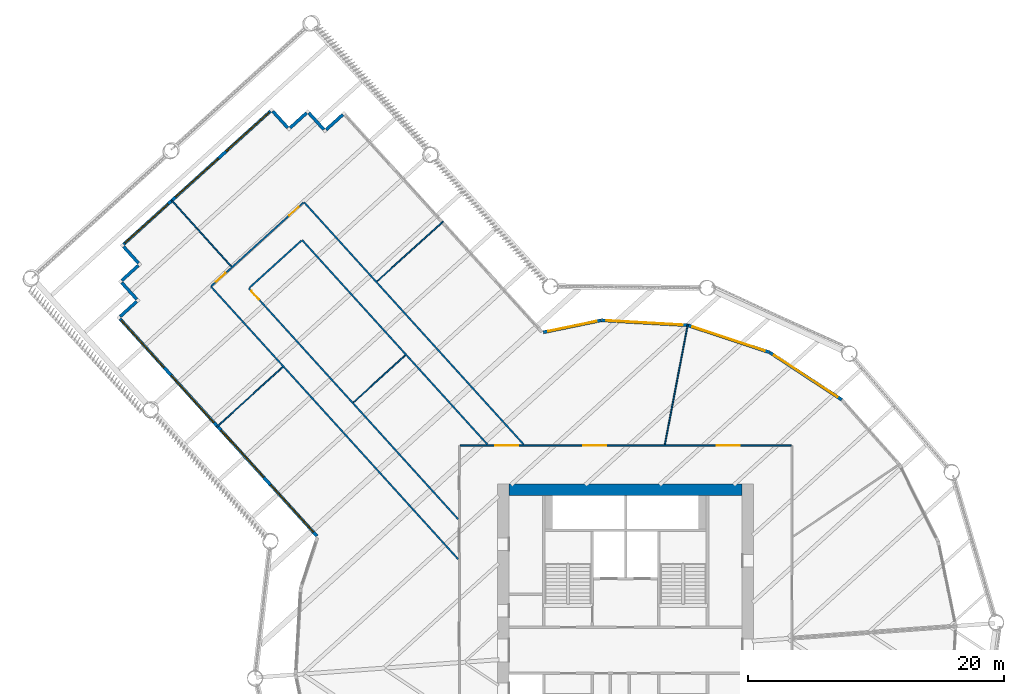
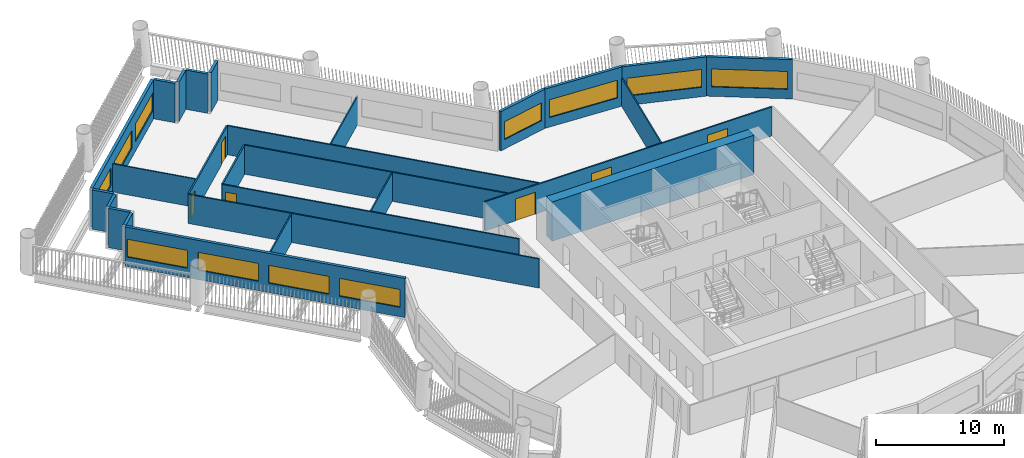
# One storey, part 6 of 15: 27 walls, 11 windows, 6 doors, 17 openings.
"""IFC4 building model written with IfcOpenShell, lengths in metres."""

from ifc_helpers import new_model, si_unit, direction, frame, frame_2d, origin, place, context, subcontext, project, spatial, rectangle, extrude, material, layer, layer_set, type_object, element, fill, save


model = new_model("IFC4")

# Units and contexts
model_context = context("Model", 3, precision=1e-05, world=origin(), true_north=direction((0.0, 1.0)))
body_context = subcontext(model_context, "Body", "Model", "MODEL_VIEW")
ifc_project = project(units=[si_unit("LENGTHUNIT", "METRE"), si_unit("AREAUNIT", "SQUARE_METRE"), si_unit("VOLUMEUNIT", "CUBIC_METRE"), si_unit("PLANEANGLEUNIT", "RADIAN"), si_unit("MASSUNIT", "GRAM", prefix="KILO")], contexts=[model_context])

# Site, building, storey
site_placement = place(None, origin())
site = spatial("IfcSite", under=ifc_project, at=site_placement, CompositionType="ELEMENT")
building_placement = place(site_placement, origin())
building = spatial("IfcBuilding", under=site, at=building_placement, Name="Tarsis Ring Headquarters", CompositionType="ELEMENT")
storey_placement = place(building_placement, frame((0.0, 0.0, 59.5)))
storey = spatial("IfcBuildingStorey", under=building, at=storey_placement, Name="L12", CompositionType="ELEMENT", Elevation=59.5)

# Walls
ifc_material_1 = material(Name="Concrete C60/75", Category="concrete")
ifc_layer_1 = layer(ifc_material_1, 0.89990234375)
ifc_layer_set_1 = layer_set([ifc_layer_1], Name="Core wall 900 C60/75")
wall_type_1 = type_object("IfcWallType", Name="Core wall 900 C60/75", PredefinedType="SHEAR", material=ifc_layer_set_1)
wall_1_placement = place(storey_placement, frame((-9.10009765625, 12.550048828125, 0.0), z_axis=(0.0, 0.0, 1.0), x_axis=(1.0, 0.0, 0.0)))
element("IfcWall", 1, at=wall_1_placement, inside=storey, type_object=wall_type_1, Name="Core wall ON", PredefinedType="SHEAR", context=body_context, shape_type="SweptSolid", body=[
    extrude(rectangle(XDim=18.2001953125, YDim=0.89990234375, at=frame_2d((9.10009765625, 0.0))), origin(), (0.0, 0.0, 1.0), 3.739990234375),
])
ifc_material_2 = material(Name="Gypsum board on steel studs", Category="steel")
ifc_layer_2 = layer(ifc_material_2, 0.10009765625)
ifc_layer_set_2 = layer_set([ifc_layer_2], Name="FL partition 100 unrated")
wall_type_2 = type_object("IfcWallType", Name="FL partition 100 unrated", PredefinedType="PARTITIONING", material=ifc_layer_set_2)
wall_2_placement = place(storey_placement, frame((3.065185546875, 16.06884765625, 0.0), z_axis=(0.0, 0.0, 1.0), x_axis=(0.187383522509, 0.982286829542, 0.0)))
element("IfcWall", 2, at=wall_2_placement, inside=storey, type_object=wall_type_2, Name="Partition PW3", PredefinedType="PARTITIONING", context=body_context, shape_type="SweptSolid", body=[
    extrude(rectangle(XDim=9.58935546875, YDim=0.10009765625, at=frame_2d((4.794677734375, 0.0))), origin(), (0.0, 0.0, 1.0), 2.699951171875),
])
wall_3_placement = place(storey_placement, frame((-35.530517578125, 35.209716796875, 0.0), z_axis=(0.0, 0.0, 1.0), x_axis=(0.671726755684, -0.740799004925, 0.0)))
element("IfcWall", 3, at=wall_3_placement, inside=storey, type_object=wall_type_2, Name="Partition PW3", PredefinedType="PARTITIONING", context=body_context, shape_type="SweptSolid", body=[
    extrude(rectangle(XDim=7.0302734375, YDim=0.10009765625, at=frame_2d((3.51513671875, 0.0))), origin(), (0.0, 0.0, 1.0), 2.699951171875),
])
wall_4_placement = place(storey_placement, frame((-19.431396484375, 28.84375, 0.0), z_axis=(0.0, 0.0, 1.0), x_axis=(0.740800102283, 0.671725545486, 0.0)))
element("IfcWall", 4, at=wall_4_placement, inside=storey, type_object=wall_type_2, Name="Partition PW3", PredefinedType="PARTITIONING", context=body_context, shape_type="SweptSolid", body=[
    extrude(rectangle(XDim=6.969970703125, YDim=0.10009765625, at=frame_2d((3.48486328125, 0.0))), origin(), (0.0, 0.0, 1.0), 2.699951171875),
])
wall_5_placement = place(storey_placement, frame((-31.966552734375, 17.464111328125, 0.0), z_axis=(0.0, 0.0, 1.0), x_axis=(0.740815906683, 0.671708115483, 0.0)))
element("IfcWall", 5, at=wall_5_placement, inside=storey, type_object=wall_type_2, Name="Partition PW3", PredefinedType="PARTITIONING", context=body_context, shape_type="SweptSolid", body=[
    extrude(rectangle(XDim=6.97021484375, YDim=0.10009765625, at=frame_2d((3.485107421875, 0.0))), origin(), (0.0, 0.0, 1.0), 2.699951171875),
])
wall_6_placement = place(storey_placement, frame((-21.274658203125, 19.383544921875, 0.0), z_axis=(0.0, 0.0, 1.0), x_axis=(0.740812349044, 0.671712039123, 0.0)))
element("IfcWall", 6, at=wall_6_placement, inside=storey, type_object=wall_type_2, Name="Partition PW3", PredefinedType="PARTITIONING", context=body_context, shape_type="SweptSolid", body=[
    extrude(rectangle(XDim=5.47998046875, YDim=0.10009765625, at=frame_2d((2.739990234375, 0.0))), origin(), (0.0, 0.0, 1.0), 2.699951171875),
])
ifc_layer_3 = layer(ifc_material_2, 0.125)
ifc_layer_set_3 = layer_set([ifc_layer_3], Name="FL partition 125 EI 60 H2770")
wall_type_3 = type_object("IfcWallType", Name="FL partition 125 EI 60 H2770", PredefinedType="PARTITIONING", material=ifc_layer_set_3)
wall_7_placement = place(storey_placement, frame((-32.420654296875, 28.4453125, 0.0), z_axis=(0.0, 0.0, 1.0), x_axis=(0.67171907971, -0.740805965117, 0.0)))
element("IfcWall", 7, at=wall_7_placement, inside=storey, type_object=wall_type_3, Name="Partition PW1", PredefinedType="PARTITIONING", context=body_context, shape_type="SweptSolid", body=[
    extrude(rectangle(XDim=28.76171875, YDim=0.125, at=frame_2d((14.380859375, 0.0))), origin(), (0.0, 0.0, 1.0), 2.77001953125),
])

# Wall, openings, doors
wall_8_placement = place(storey_placement, frame((-12.93896484375, 16.0, 0.0), z_axis=(0.0, 0.0, 1.0), x_axis=(1.0, 0.0, 0.0)))
wall_8 = element("IfcWall", 8, at=wall_8_placement, inside=storey, type_object=wall_type_3, Name="Partition PW1", PredefinedType="PARTITIONING", context=body_context, shape_type="SweptSolid", body=[
    extrude(rectangle(XDim=25.87890625, YDim=0.125, at=frame_2d((12.939453125, 0.0))), origin(), (0.0, 0.0, 1.0), 2.77001953125),
])
opening_1_placement = place(wall_8_placement, frame((9.625, 0.0, 0.0)))
opening_1 = element("IfcOpeningElement", 9, at=opening_1_placement, cuts=wall_8, Name="Opening D12.03", PredefinedType="OPENING", context=body_context, shape_type="SweptSolid", body=[
    extrude(rectangle(XDim=1.800048828125, YDim=2.10009765625, at=frame_2d((0.89990234375, 1.050048828125))), frame((0.0, 0.072509765625, 0.0), z_axis=(0.0, -1.0, 0.0), x_axis=(1.0, 0.0, 0.0)), (0.0, 0.0, 1.0), 0.14501953125),
])
opening_2_placement = place(wall_8_placement, frame((20.065185546875, 0.0, 0.0)))
opening_2 = element("IfcOpeningElement", 10, at=opening_2_placement, cuts=wall_8, Name="Opening D12.04", PredefinedType="OPENING", context=body_context, shape_type="SweptSolid", body=[
    extrude(rectangle(XDim=1.800048828125, YDim=2.10009765625, at=frame_2d((0.89990234375, 1.050048828125))), frame((0.0, 0.072509765625, 0.0), z_axis=(0.0, -1.0, 0.0), x_axis=(1.0, 0.0, 0.0)), (0.0, 0.0, 1.0), 0.14501953125),
])
opening_3_placement = place(wall_8_placement, frame((2.74169921875, 0.0, 0.0)))
opening_3 = element("IfcOpeningElement", 11, at=opening_3_placement, cuts=wall_8, Name="Opening D12.20", PredefinedType="OPENING", context=body_context, shape_type="SweptSolid", body=[
    extrude(rectangle(XDim=1.800048828125, YDim=2.10009765625, at=frame_2d((0.89990234375, 1.050048828125))), frame((0.0, 0.072509765625, 0.0), z_axis=(0.0, -1.0, 0.0), x_axis=(1.0, 0.0, 0.0)), (0.0, 0.0, 1.0), 0.14501953125),
])
ifc_material_3 = material(Name="Fire-rated timber door leaf in steel frame", Category="steel")
door_type_1 = type_object("IfcDoorType", Name="FL door FD60-1800", OperationType="DOUBLE_DOOR_SINGLE_SWING", PredefinedType="DOOR", material=ifc_material_3)
door_1_placement = place(opening_1_placement, origin())
door_1 = element("IfcDoor", 12, at=door_1_placement, inside=storey, type_object=door_type_1, Name="Door D12.03", OperationType="DOUBLE_DOOR_SINGLE_SWING", OverallHeight=2.10009765625, OverallWidth=1.800048828125, PredefinedType="DOOR", context=body_context, shape_type="SweptSolid", body=[
    extrude(rectangle(XDim=1.800048828125, YDim=2.10009765625, at=frame_2d((0.89990234375, 1.050048828125))), frame((0.0, 0.02490234375, 0.0), z_axis=(0.0, -1.0, 0.0), x_axis=(1.0, 0.0, 0.0)), (0.0, 0.0, 1.0), 0.050048828125),
])
fill(opening_1, door_1)
door_2_placement = place(opening_2_placement, origin())
door_2 = element("IfcDoor", 13, at=door_2_placement, inside=storey, type_object=door_type_1, Name="Door D12.04", OperationType="DOUBLE_DOOR_SINGLE_SWING", OverallHeight=2.10009765625, OverallWidth=1.800048828125, PredefinedType="DOOR", context=body_context, shape_type="SweptSolid", body=[
    extrude(rectangle(XDim=1.800048828125, YDim=2.10009765625, at=frame_2d((0.89990234375, 1.050048828125))), frame((0.0, 0.02490234375, 0.0), z_axis=(0.0, -1.0, 0.0), x_axis=(1.0, 0.0, 0.0)), (0.0, 0.0, 1.0), 0.050048828125),
])
fill(opening_2, door_2)
door_3_placement = place(opening_3_placement, origin())
door_3 = element("IfcDoor", 14, at=door_3_placement, inside=storey, type_object=door_type_1, Name="Door D12.20", OperationType="DOUBLE_DOOR_SINGLE_SWING", OverallHeight=2.10009765625, OverallWidth=1.800048828125, PredefinedType="DOOR", context=body_context, shape_type="SweptSolid", body=[
    extrude(rectangle(XDim=1.800048828125, YDim=2.10009765625, at=frame_2d((0.89990234375, 1.050048828125))), frame((0.0, 0.02490234375, 0.0), z_axis=(0.0, -1.0, 0.0), x_axis=(1.0, 0.0, 0.0)), (0.0, 0.0, 1.0), 0.050048828125),
])
fill(opening_3, door_3)

# Wall
wall_9_placement = place(storey_placement, frame((-25.14599609375, 35.04150390625, 0.0), z_axis=(0.0, 0.0, 1.0), x_axis=(0.671723820396, -0.740801666516, 0.0)))
element("IfcWall", 15, at=wall_9_placement, inside=storey, type_object=wall_type_3, Name="Partition PW1", PredefinedType="PARTITIONING", context=body_context, shape_type="SweptSolid", body=[
    extrude(rectangle(XDim=25.573974609375, YDim=0.125, at=frame_2d((12.787109375, 0.0))), origin(), (0.0, 0.0, 1.0), 2.77001953125),
])

# Wall, opening, door
wall_10_placement = place(storey_placement, frame((-29.454345703125, 28.30029296875, 0.0), z_axis=(0.0, 0.0, 1.0), x_axis=(0.671720886348, -0.740804326961, 0.0)))
wall_10 = element("IfcWall", 16, at=wall_10_placement, inside=storey, type_object=wall_type_3, Name="Partition PW1", PredefinedType="PARTITIONING", context=body_context, shape_type="SweptSolid", body=[
    extrude(rectangle(XDim=24.345703125, YDim=0.125, at=frame_2d((12.1728515625, 0.0))), origin(), (0.0, 0.0, 1.0), 2.77001953125),
])
opening_4_placement = place(wall_10_placement, frame((0.284912109375, 0.0, 0.0)))
opening_4 = element("IfcOpeningElement", 17, at=opening_4_placement, cuts=wall_10, Name="Opening D12.14", PredefinedType="OPENING", context=body_context, shape_type="SweptSolid", body=[
    extrude(rectangle(XDim=0.89990234375, YDim=2.10009765625, at=frame_2d((0.449951171875, 1.050048828125))), frame((0.0, 0.072509765625, 0.0), z_axis=(0.0, -1.0, 0.0), x_axis=(1.0, 0.0, 0.0)), (0.0, 0.0, 1.0), 0.14501953125),
])
door_type_2 = type_object("IfcDoorType", Name="FL door FD60-900", OperationType="NOTDEFINED", PredefinedType="DOOR", material=ifc_material_3)
door_4_placement = place(opening_4_placement, origin())
door_4 = element("IfcDoor", 18, at=door_4_placement, inside=storey, type_object=door_type_2, Name="Door D12.14", OperationType="SINGLE_SWING_RIGHT", OverallHeight=2.10009765625, OverallWidth=0.89990234375, PredefinedType="DOOR", context=body_context, shape_type="SweptSolid", body=[
    extrude(rectangle(XDim=0.89990234375, YDim=2.10009765625, at=frame_2d((0.449951171875, 1.050048828125))), frame((0.0, 0.02490234375, 0.0), z_axis=(0.0, -1.0, 0.0), x_axis=(1.0, 0.0, 0.0)), (0.0, 0.0, 1.0), 0.050048828125),
])
fill(opening_4, door_4)

# Wall
wall_11_placement = place(storey_placement, frame((-25.291015625, 32.0751953125, 0.0), z_axis=(0.0, 0.0, 1.0), x_axis=(0.671724092549, -0.74080141974, 0.0)))
element("IfcWall", 19, at=wall_11_placement, inside=storey, type_object=wall_type_3, Name="Partition PW1", PredefinedType="PARTITIONING", context=body_context, shape_type="SweptSolid", body=[
    extrude(rectangle(XDim=21.56982421875, YDim=0.125, at=frame_2d((10.784912109375, 0.0))), origin(), (0.0, 0.0, 1.0), 2.77001953125),
])

# Wall, openings, doors
wall_12_placement = place(storey_placement, frame((-32.376220703125, 28.485595703125, 0.0), z_axis=(0.0, 0.0, 1.0), x_axis=(0.740818641297, 0.671705099509, 0.0)))
wall_12 = element("IfcWall", 20, at=wall_12_placement, inside=storey, type_object=wall_type_3, Name="Partition PW1", PredefinedType="PARTITIONING", context=body_context, shape_type="SweptSolid", body=[
    extrude(rectangle(XDim=9.7001953125, YDim=0.125, at=frame_2d((4.85009765625, 0.0))), origin(), (0.0, 0.0, 1.0), 2.77001953125),
])
opening_5_placement = place(wall_12_placement, frame((0.489990234375, 0.0, 0.0)))
opening_5 = element("IfcOpeningElement", 21, at=opening_5_placement, cuts=wall_12, Name="Opening D12.01", PredefinedType="OPENING", context=body_context, shape_type="SweptSolid", body=[
    extrude(rectangle(XDim=1.0, YDim=2.10009765625, at=frame_2d((0.5, 1.050048828125))), frame((0.0, 0.072509765625, 0.0), z_axis=(0.0, -1.0, 0.0), x_axis=(1.0, 0.0, 0.0)), (0.0, 0.0, 1.0), 0.14501953125),
])
opening_6_placement = place(wall_12_placement, frame((8.2099609375, 0.0, 0.0)))
opening_6 = element("IfcOpeningElement", 22, at=opening_6_placement, cuts=wall_12, Name="Opening D12.02", PredefinedType="OPENING", context=body_context, shape_type="SweptSolid", body=[
    extrude(rectangle(XDim=1.0, YDim=2.10009765625, at=frame_2d((0.5, 1.050048828125))), frame((0.0, 0.072509765625, 0.0), z_axis=(0.0, -1.0, 0.0), x_axis=(1.0, 0.0, 0.0)), (0.0, 0.0, 1.0), 0.14501953125),
])
door_type_3 = type_object("IfcDoorType", Name="FL door FD60-1000", OperationType="NOTDEFINED", PredefinedType="DOOR", material=ifc_material_3)
door_5_placement = place(opening_5_placement, origin())
door_5 = element("IfcDoor", 23, at=door_5_placement, inside=storey, type_object=door_type_3, Name="Door D12.01", OperationType="SINGLE_SWING_LEFT", OverallHeight=2.10009765625, OverallWidth=1.0, PredefinedType="DOOR", context=body_context, shape_type="SweptSolid", body=[
    extrude(rectangle(XDim=1.0, YDim=2.10009765625, at=frame_2d((0.5, 1.050048828125))), frame((0.0, 0.02490234375, 0.0), z_axis=(0.0, -1.0, 0.0), x_axis=(1.0, 0.0, 0.0)), (0.0, 0.0, 1.0), 0.050048828125),
])
fill(opening_5, door_5)
door_6_placement = place(opening_6_placement, origin())
door_6 = element("IfcDoor", 24, at=door_6_placement, inside=storey, type_object=door_type_3, Name="Door D12.02", OperationType="SINGLE_SWING_RIGHT", OverallHeight=2.10009765625, OverallWidth=1.0, PredefinedType="DOOR", context=body_context, shape_type="SweptSolid", body=[
    extrude(rectangle(XDim=1.0, YDim=2.10009765625, at=frame_2d((0.5, 1.050048828125))), frame((0.0, 0.02490234375, 0.0), z_axis=(0.0, -1.0, 0.0), x_axis=(1.0, 0.0, 0.0)), (0.0, 0.0, 1.0), 0.050048828125),
])
fill(opening_6, door_6)

# Wall
wall_13_placement = place(storey_placement, frame((-29.409912109375, 28.340576171875, 0.0), z_axis=(0.0, 0.0, 1.0), x_axis=(0.740819199634, 0.671704483723, 0.0)))
element("IfcWall", 25, at=wall_13_placement, inside=storey, type_object=wall_type_3, Name="Partition PW1", PredefinedType="PARTITIONING", context=body_context, shape_type="SweptSolid", body=[
    extrude(rectangle(XDim=5.5, YDim=0.125, at=frame_2d((2.75, 0.0))), origin(), (0.0, 0.0, 1.0), 2.77001953125),
])

# Wall, openings, windows
ifc_material_4 = material(Name="Terracotta clad insulated panel wall", Category="masonry")
ifc_layer_4 = layer(ifc_material_4, 0.25)
ifc_layer_set_4 = layer_set([ifc_layer_4], Name="Facade wall terracotta panel 250")
wall_type_4 = type_object("IfcWallType", Name="Facade wall terracotta panel 250", PredefinedType="STANDARD", material=ifc_layer_set_4)
wall_14_placement = place(storey_placement, frame((-39.5283203125, 25.9150390625, 0.0), z_axis=(0.0, 0.0, 1.0), x_axis=(0.671721704411, -0.740803585185, 0.0)))
wall_14 = element("IfcWall", 26, at=wall_14_placement, inside=storey, type_object=wall_type_4, Name="External wall L12-01", PredefinedType="STANDARD", context=body_context, shape_type="SweptSolid", body=[
    extrude(rectangle(XDim=22.922119140625, YDim=0.25, at=frame_2d((11.4609375, 0.0))), origin(), (0.0, 0.0, 1.0), 3.739990234375),
])
opening_7_placement = place(wall_14_placement, frame((0.17138671875, 0.0, 0.89990234375)))
opening_7 = element("IfcOpeningElement", 27, at=opening_7_placement, cuts=wall_14, Name="Opening WN05", PredefinedType="OPENING", context=body_context, shape_type="SweptSolid", body=[
    extrude(rectangle(XDim=4.949951171875, YDim=1.699951171875, at=frame_2d((2.47509765625, 0.85009765625))), frame((0.0, 0.135009765625, 0.0), z_axis=(0.0, -1.0, 0.0), x_axis=(1.0, 0.0, 0.0)), (0.0, 0.0, 1.0), 0.27001953125),
])
opening_8_placement = place(wall_14_placement, frame((5.964599609375, 0.0, 0.89990234375)))
opening_8 = element("IfcOpeningElement", 28, at=opening_8_placement, cuts=wall_14, Name="Opening WN05", PredefinedType="OPENING", context=body_context, shape_type="SweptSolid", body=[
    extrude(rectangle(XDim=4.949951171875, YDim=1.699951171875, at=frame_2d((2.47509765625, 0.85009765625))), frame((0.0, 0.135009765625, 0.0), z_axis=(0.0, -1.0, 0.0), x_axis=(1.0, 0.0, 0.0)), (0.0, 0.0, 1.0), 0.27001953125),
])
opening_9_placement = place(wall_14_placement, frame((11.757568359375, 0.0, 0.89990234375)))
opening_9 = element("IfcOpeningElement", 29, at=opening_9_placement, cuts=wall_14, Name="Opening WN05", PredefinedType="OPENING", context=body_context, shape_type="SweptSolid", body=[
    extrude(rectangle(XDim=4.949951171875, YDim=1.699951171875, at=frame_2d((2.47509765625, 0.85009765625))), frame((0.0, 0.135009765625, 0.0), z_axis=(0.0, -1.0, 0.0), x_axis=(1.0, 0.0, 0.0)), (0.0, 0.0, 1.0), 0.27001953125),
])
opening_10_placement = place(wall_14_placement, frame((17.550537109375, 0.0, 0.89990234375)))
opening_10 = element("IfcOpeningElement", 30, at=opening_10_placement, cuts=wall_14, Name="Opening WN05", PredefinedType="OPENING", context=body_context, shape_type="SweptSolid", body=[
    extrude(rectangle(XDim=4.949951171875, YDim=1.699951171875, at=frame_2d((2.47509765625, 0.85009765625))), frame((0.0, 0.135009765625, 0.0), z_axis=(0.0, -1.0, 0.0), x_axis=(1.0, 0.0, 0.0)), (0.0, 0.0, 1.0), 0.27001953125),
])
ifc_material_5 = material(Name="Aluminium framed double glazing", Category="aluminium")
window_type_1 = type_object("IfcWindowType", Name="Facade window 4950 x 1700", PartitioningType="SINGLE_PANEL", PredefinedType="WINDOW", material=ifc_material_5)
window_1_placement = place(opening_7_placement, origin())
window_1 = element("IfcWindow", 31, at=window_1_placement, inside=storey, type_object=window_type_1, Name="Window L12-01.1", OverallHeight=1.699951171875, OverallWidth=4.949951171875, PartitioningType="SINGLE_PANEL", PredefinedType="WINDOW", context=body_context, shape_type="SweptSolid", body=[
    extrude(rectangle(XDim=4.949951171875, YDim=1.699951171875, at=frame_2d((2.47509765625, 0.85009765625))), frame((0.0, 0.030029296875, 0.0), z_axis=(0.0, -1.0, 0.0), x_axis=(1.0, 0.0, 0.0)), (0.0, 0.0, 1.0), 0.06005859375),
])
fill(opening_7, window_1)
window_2_placement = place(opening_8_placement, origin())
window_2 = element("IfcWindow", 32, at=window_2_placement, inside=storey, type_object=window_type_1, Name="Window L12-01.2", OverallHeight=1.699951171875, OverallWidth=4.949951171875, PartitioningType="SINGLE_PANEL", PredefinedType="WINDOW", context=body_context, shape_type="SweptSolid", body=[
    extrude(rectangle(XDim=4.949951171875, YDim=1.699951171875, at=frame_2d((2.47509765625, 0.85009765625))), frame((0.0, 0.030029296875, 0.0), z_axis=(0.0, -1.0, 0.0), x_axis=(1.0, 0.0, 0.0)), (0.0, 0.0, 1.0), 0.06005859375),
])
fill(opening_8, window_2)
window_3_placement = place(opening_9_placement, origin())
window_3 = element("IfcWindow", 33, at=window_3_placement, inside=storey, type_object=window_type_1, Name="Window L12-01.3", OverallHeight=1.699951171875, OverallWidth=4.949951171875, PartitioningType="SINGLE_PANEL", PredefinedType="WINDOW", context=body_context, shape_type="SweptSolid", body=[
    extrude(rectangle(XDim=4.949951171875, YDim=1.699951171875, at=frame_2d((2.47509765625, 0.85009765625))), frame((0.0, 0.030029296875, 0.0), z_axis=(0.0, -1.0, 0.0), x_axis=(1.0, 0.0, 0.0)), (0.0, 0.0, 1.0), 0.06005859375),
])
fill(opening_9, window_3)
window_4_placement = place(opening_10_placement, origin())
window_4 = element("IfcWindow", 34, at=window_4_placement, inside=storey, type_object=window_type_1, Name="Window L12-01.4", OverallHeight=1.699951171875, OverallWidth=4.949951171875, PartitioningType="SINGLE_PANEL", PredefinedType="WINDOW", context=body_context, shape_type="SweptSolid", body=[
    extrude(rectangle(XDim=4.949951171875, YDim=1.699951171875, at=frame_2d((2.47509765625, 0.85009765625))), frame((0.0, 0.030029296875, 0.0), z_axis=(0.0, -1.0, 0.0), x_axis=(1.0, 0.0, 0.0)), (0.0, 0.0, 1.0), 0.06005859375),
])
fill(opening_10, window_4)

# Wall, opening, window
wall_15_placement = place(storey_placement, frame((16.892822265625, 19.595458984375, 0.0), z_axis=(0.0, 0.0, 1.0), x_axis=(-0.835814057723, 0.549012623636, 0.0)))
wall_15 = element("IfcWall", 35, at=wall_15_placement, inside=storey, type_object=wall_type_4, Name="External wall L12-27", PredefinedType="STANDARD", context=body_context, shape_type="SweptSolid", body=[
    extrude(rectangle(XDim=6.721435546875, YDim=0.25, at=frame_2d((3.36083984375, 0.0))), origin(), (0.0, 0.0, 1.0), 3.739990234375),
])
opening_11_placement = place(wall_15_placement, frame((0.3857421875, 0.0, 0.89990234375)))
opening_11 = element("IfcOpeningElement", 36, at=opening_11_placement, cuts=wall_15, Name="Opening WN07", PredefinedType="OPENING", context=body_context, shape_type="SweptSolid", body=[
    extrude(rectangle(XDim=5.949951171875, YDim=1.699951171875, at=frame_2d((2.97509765625, 0.85009765625))), frame((0.0, 0.135009765625, 0.0), z_axis=(0.0, -1.0, 0.0), x_axis=(1.0, 0.0, 0.0)), (0.0, 0.0, 1.0), 0.27001953125),
])
window_type_2 = type_object("IfcWindowType", Name="Facade window 5950 x 1700", PartitioningType="SINGLE_PANEL", PredefinedType="WINDOW", material=ifc_material_5)
window_5_placement = place(opening_11_placement, origin())
window_5 = element("IfcWindow", 37, at=window_5_placement, inside=storey, type_object=window_type_2, Name="Window L12-27.1", OverallHeight=1.699951171875, OverallWidth=5.949951171875, PartitioningType="SINGLE_PANEL", PredefinedType="WINDOW", context=body_context, shape_type="SweptSolid", body=[
    extrude(rectangle(XDim=5.949951171875, YDim=1.699951171875, at=frame_2d((2.97509765625, 0.85009765625))), frame((0.0, 0.030029296875, 0.0), z_axis=(0.0, -1.0, 0.0), x_axis=(1.0, 0.0, 0.0)), (0.0, 0.0, 1.0), 0.06005859375),
])
fill(opening_11, window_5)

wall_16_placement = place(storey_placement, frame((11.24560546875, 23.300048828125, 0.0), z_axis=(0.0, 0.0, 1.0), x_axis=(-0.949432491211, 0.313971248098, 0.0)))
wall_16 = element("IfcWall", 38, at=wall_16_placement, inside=storey, type_object=wall_type_4, Name="External wall L12-28", PredefinedType="STANDARD", context=body_context, shape_type="SweptSolid", body=[
    extrude(rectangle(XDim=6.721435546875, YDim=0.25, at=frame_2d((3.36083984375, 0.0))), origin(), (0.0, 0.0, 1.0), 3.739990234375),
])
opening_12_placement = place(wall_16_placement, frame((0.3857421875, 0.0, 0.89990234375)))
opening_12 = element("IfcOpeningElement", 39, at=opening_12_placement, cuts=wall_16, Name="Opening WN07", PredefinedType="OPENING", context=body_context, shape_type="SweptSolid", body=[
    extrude(rectangle(XDim=5.949951171875, YDim=1.699951171875, at=frame_2d((2.97509765625, 0.85009765625))), frame((0.0, 0.135009765625, 0.0), z_axis=(0.0, -1.0, 0.0), x_axis=(1.0, 0.0, 0.0)), (0.0, 0.0, 1.0), 0.27001953125),
])
window_6_placement = place(opening_12_placement, origin())
window_6 = element("IfcWindow", 40, at=window_6_placement, inside=storey, type_object=window_type_2, Name="Window L12-28.1", OverallHeight=1.699951171875, OverallWidth=5.949951171875, PartitioningType="SINGLE_PANEL", PredefinedType="WINDOW", context=body_context, shape_type="SweptSolid", body=[
    extrude(rectangle(XDim=5.949951171875, YDim=1.699951171875, at=frame_2d((2.97509765625, 0.85009765625))), frame((0.0, 0.030029296875, 0.0), z_axis=(0.0, -1.0, 0.0), x_axis=(1.0, 0.0, 0.0)), (0.0, 0.0, 1.0), 0.06005859375),
])
fill(opening_12, window_6)

wall_17_placement = place(storey_placement, frame((4.831787109375, 25.41650390625, 0.0), z_axis=(0.0, 0.0, 1.0), x_axis=(-0.998341347176, 0.05757216792, 0.0)))
wall_17 = element("IfcWall", 41, at=wall_17_placement, inside=storey, type_object=wall_type_4, Name="External wall L12-29", PredefinedType="STANDARD", context=body_context, shape_type="SweptSolid", body=[
    extrude(rectangle(XDim=6.721435546875, YDim=0.25, at=frame_2d((3.36083984375, 0.0))), origin(), (0.0, 0.0, 1.0), 3.739990234375),
])
opening_13_placement = place(wall_17_placement, frame((0.3857421875, 0.0, 0.89990234375)))
opening_13 = element("IfcOpeningElement", 42, at=opening_13_placement, cuts=wall_17, Name="Opening WN07", PredefinedType="OPENING", context=body_context, shape_type="SweptSolid", body=[
    extrude(rectangle(XDim=5.949951171875, YDim=1.699951171875, at=frame_2d((2.97509765625, 0.85009765625))), frame((0.0, 0.135009765625, 0.0), z_axis=(0.0, -1.0, 0.0), x_axis=(1.0, 0.0, 0.0)), (0.0, 0.0, 1.0), 0.27001953125),
])
window_7_placement = place(opening_13_placement, origin())
window_7 = element("IfcWindow", 43, at=window_7_placement, inside=storey, type_object=window_type_2, Name="Window L12-29.1", OverallHeight=1.699951171875, OverallWidth=5.949951171875, PartitioningType="SINGLE_PANEL", PredefinedType="WINDOW", context=body_context, shape_type="SweptSolid", body=[
    extrude(rectangle(XDim=5.949951171875, YDim=1.699951171875, at=frame_2d((2.97509765625, 0.85009765625))), frame((0.0, 0.030029296875, 0.0), z_axis=(0.0, -1.0, 0.0), x_axis=(1.0, 0.0, 0.0)), (0.0, 0.0, 1.0), 0.06005859375),
])
fill(opening_13, window_7)

wall_18_placement = place(storey_placement, frame((-1.9111328125, 25.801025390625, 0.0), z_axis=(0.0, 0.0, 1.0), x_axis=(-0.979228214167, -0.202761200871, 0.0)))
wall_18 = element("IfcWall", 44, at=wall_18_placement, inside=storey, type_object=wall_type_4, Name="External wall L12-30", PredefinedType="STANDARD", context=body_context, shape_type="SweptSolid", body=[
    extrude(rectangle(XDim=4.61767578125, YDim=0.25, at=frame_2d((2.308837890625, 0.0))), origin(), (0.0, 0.0, 1.0), 3.739990234375),
])
opening_14_placement = place(wall_18_placement, frame((0.367431640625, 0.0, 0.89990234375)))
opening_14 = element("IfcOpeningElement", 45, at=opening_14_placement, cuts=wall_18, Name="Opening WN02", PredefinedType="OPENING", context=body_context, shape_type="SweptSolid", body=[
    extrude(rectangle(XDim=3.85009765625, YDim=1.699951171875, at=frame_2d((1.925048828125, 0.85009765625))), frame((0.0, 0.135009765625, 0.0), z_axis=(0.0, -1.0, 0.0), x_axis=(1.0, 0.0, 0.0)), (0.0, 0.0, 1.0), 0.27001953125),
])
window_type_3 = type_object("IfcWindowType", Name="Facade window 3850 x 1700", PartitioningType="SINGLE_PANEL", PredefinedType="WINDOW", material=ifc_material_5)
window_8_placement = place(opening_14_placement, origin())
window_8 = element("IfcWindow", 46, at=window_8_placement, inside=storey, type_object=window_type_3, Name="Window L12-30.1", OverallHeight=1.699951171875, OverallWidth=3.85009765625, PartitioningType="SINGLE_PANEL", PredefinedType="WINDOW", context=body_context, shape_type="SweptSolid", body=[
    extrude(rectangle(XDim=3.85009765625, YDim=1.699951171875, at=frame_2d((1.925048828125, 0.85009765625))), frame((0.0, 0.030029296875, 0.0), z_axis=(0.0, -1.0, 0.0), x_axis=(1.0, 0.0, 0.0)), (0.0, 0.0, 1.0), 0.06005859375),
])
fill(opening_14, window_8)

# Walls
for number, where, z_axis, x_axis, name in (
    (47, (-22.11083984375, 41.877197265625, 0.0), (0.0, 0.0, 1.0), (-0.740791682614, -0.671734830845, 0.0), "External wall L12-32"),
    (48, (-23.583740234375, 40.710205078125, 0.0), (0.0, 0.0, 1.0), (-0.671734830845, 0.740791682614, 0.0), "External wall L12-33"),
    (49, (-24.935791015625, 42.015380859375, 0.0), (0.0, 0.0, 1.0), (-0.740791682614, -0.671734830845, 0.0), "External wall L12-34"),
    (50, (-26.40869140625, 40.848388671875, 0.0), (0.0, 0.0, 1.0), (-0.671734830845, 0.740791682614, 0.0), "External wall L12-35"),
):
    element("IfcWall", number, at=place(storey_placement, frame(where, z_axis=z_axis, x_axis=x_axis)), inside=storey, type_object=wall_type_4, Name=name, PredefinedType="STANDARD", context=body_context, shape_type="SweptSolid", body=[
        extrude(rectangle(XDim=1.75, YDim=0.25, at=frame_2d((0.875, 0.0))), origin(), (0.0, 0.0, 1.0), 3.739990234375),
    ])

# Wall, openings, windows
wall_19_placement = place(storey_placement, frame((-27.7607421875, 42.153564453125, 0.0), z_axis=(0.0, 0.0, 1.0), x_axis=(-0.740803970578, -0.671721279383, 0.0)))
wall_19 = element("IfcWall", 51, at=wall_19_placement, inside=storey, type_object=wall_type_4, Name="External wall L12-36", PredefinedType="STANDARD", context=body_context, shape_type="SweptSolid", body=[
    extrude(rectangle(XDim=15.500244140625, YDim=0.25, at=frame_2d((7.75, 0.0))), origin(), (0.0, 0.0, 1.0), 3.739990234375),
])
opening_15_placement = place(wall_19_placement, frame((0.166748046875, 0.0, 0.89990234375)))
opening_15 = element("IfcOpeningElement", 52, at=opening_15_placement, cuts=wall_19, Name="Opening WN04", PredefinedType="OPENING", context=body_context, shape_type="SweptSolid", body=[
    extrude(rectangle(XDim=4.5, YDim=1.699951171875, at=frame_2d((2.25, 0.85009765625))), frame((0.0, 0.135009765625, 0.0), z_axis=(0.0, -1.0, 0.0), x_axis=(1.0, 0.0, 0.0)), (0.0, 0.0, 1.0), 0.27001953125),
])
opening_16_placement = place(wall_19_placement, frame((5.5, 0.0, 0.89990234375)))
opening_16 = element("IfcOpeningElement", 53, at=opening_16_placement, cuts=wall_19, Name="Opening WN04", PredefinedType="OPENING", context=body_context, shape_type="SweptSolid", body=[
    extrude(rectangle(XDim=4.5, YDim=1.699951171875, at=frame_2d((2.25, 0.85009765625))), frame((0.0, 0.135009765625, 0.0), z_axis=(0.0, -1.0, 0.0), x_axis=(1.0, 0.0, 0.0)), (0.0, 0.0, 1.0), 0.27001953125),
])
opening_17_placement = place(wall_19_placement, frame((10.833251953125, 0.0, 0.89990234375)))
opening_17 = element("IfcOpeningElement", 54, at=opening_17_placement, cuts=wall_19, Name="Opening WN04", PredefinedType="OPENING", context=body_context, shape_type="SweptSolid", body=[
    extrude(rectangle(XDim=4.5, YDim=1.699951171875, at=frame_2d((2.25, 0.85009765625))), frame((0.0, 0.135009765625, 0.0), z_axis=(0.0, -1.0, 0.0), x_axis=(1.0, 0.0, 0.0)), (0.0, 0.0, 1.0), 0.27001953125),
])
window_type_4 = type_object("IfcWindowType", Name="Facade window 4500 x 1700", PartitioningType="SINGLE_PANEL", PredefinedType="WINDOW", material=ifc_material_5)
window_9_placement = place(opening_15_placement, origin())
window_9 = element("IfcWindow", 55, at=window_9_placement, inside=storey, type_object=window_type_4, Name="Window L12-36.1", OverallHeight=1.699951171875, OverallWidth=4.5, PartitioningType="SINGLE_PANEL", PredefinedType="WINDOW", context=body_context, shape_type="SweptSolid", body=[
    extrude(rectangle(XDim=4.5, YDim=1.699951171875, at=frame_2d((2.25, 0.85009765625))), frame((0.0, 0.030029296875, 0.0), z_axis=(0.0, -1.0, 0.0), x_axis=(1.0, 0.0, 0.0)), (0.0, 0.0, 1.0), 0.06005859375),
])
fill(opening_15, window_9)
window_10_placement = place(opening_16_placement, origin())
window_10 = element("IfcWindow", 56, at=window_10_placement, inside=storey, type_object=window_type_4, Name="Window L12-36.2", OverallHeight=1.699951171875, OverallWidth=4.5, PartitioningType="SINGLE_PANEL", PredefinedType="WINDOW", context=body_context, shape_type="SweptSolid", body=[
    extrude(rectangle(XDim=4.5, YDim=1.699951171875, at=frame_2d((2.25, 0.85009765625))), frame((0.0, 0.030029296875, 0.0), z_axis=(0.0, -1.0, 0.0), x_axis=(1.0, 0.0, 0.0)), (0.0, 0.0, 1.0), 0.06005859375),
])
fill(opening_16, window_10)
window_11_placement = place(opening_17_placement, origin())
window_11 = element("IfcWindow", 57, at=window_11_placement, inside=storey, type_object=window_type_4, Name="Window L12-36.3", OverallHeight=1.699951171875, OverallWidth=4.5, PartitioningType="SINGLE_PANEL", PredefinedType="WINDOW", context=body_context, shape_type="SweptSolid", body=[
    extrude(rectangle(XDim=4.5, YDim=1.699951171875, at=frame_2d((2.25, 0.85009765625))), frame((0.0, 0.030029296875, 0.0), z_axis=(0.0, -1.0, 0.0), x_axis=(1.0, 0.0, 0.0)), (0.0, 0.0, 1.0), 0.06005859375),
])
fill(opening_17, window_11)

# Walls
for number, where, z_axis, x_axis, name in (
    (58, (-39.251953125, 31.565185546875, 0.0), (0.0, 0.0, 1.0), (0.671734830845, -0.740791682614, 0.0), "External wall L12-37"),
    (59, (-38.0849609375, 30.09228515625, 0.0), (0.0, 0.0, 1.0), (-0.740791682614, -0.671734830845, 0.0), "External wall L12-38"),
    (60, (-39.39013671875, 28.740234375, 0.0), (0.0, 0.0, 1.0), (0.671734830845, -0.740791682614, 0.0), "External wall L12-39"),
):
    element("IfcWall", number, at=place(storey_placement, frame(where, z_axis=z_axis, x_axis=x_axis)), inside=storey, type_object=wall_type_4, Name=name, PredefinedType="STANDARD", context=body_context, shape_type="SweptSolid", body=[
        extrude(rectangle(XDim=1.75, YDim=0.25, at=frame_2d((0.875, 0.0))), origin(), (0.0, 0.0, 1.0), 3.739990234375),
    ])
wall_20_placement = place(storey_placement, frame((-38.22314453125, 27.26708984375, 0.0), z_axis=(0.0, 0.0, 1.0), x_axis=(-0.740861106911, -0.671658261519, 0.0)))
element("IfcWall", 61, at=wall_20_placement, inside=storey, type_object=wall_type_4, Name="External wall L12-40", PredefinedType="STANDARD", context=body_context, shape_type="SweptSolid", body=[
    extrude(rectangle(XDim=1.749755859375, YDim=0.25, at=frame_2d((0.875, 0.0))), origin(), (0.0, 0.0, 1.0), 3.739990234375),
])

save(model, "model.ifc")
